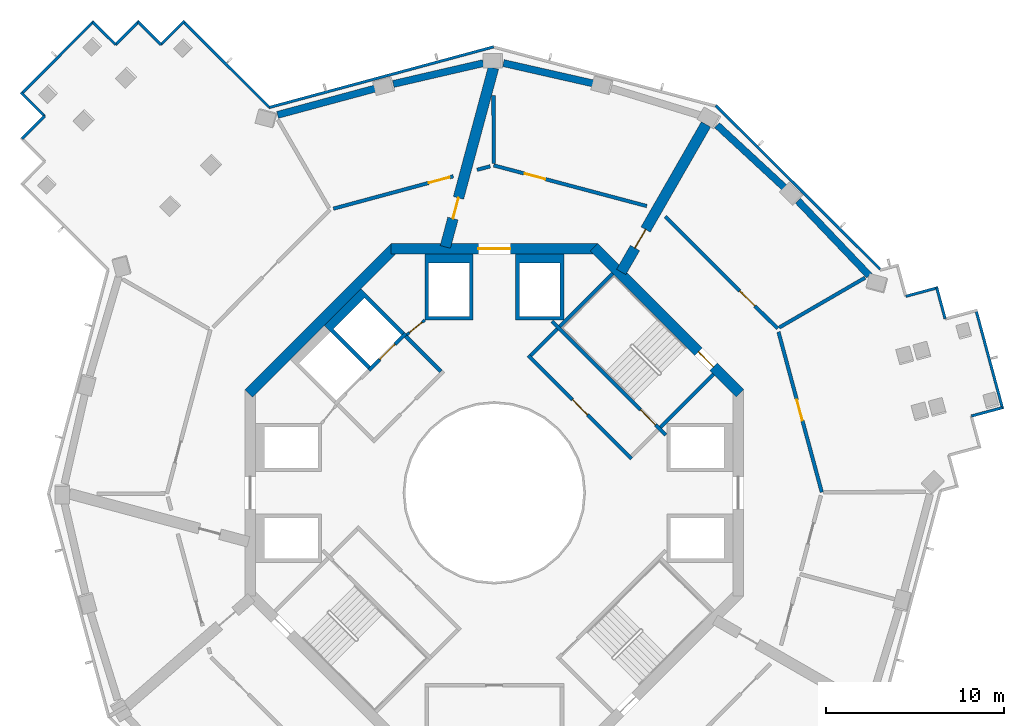
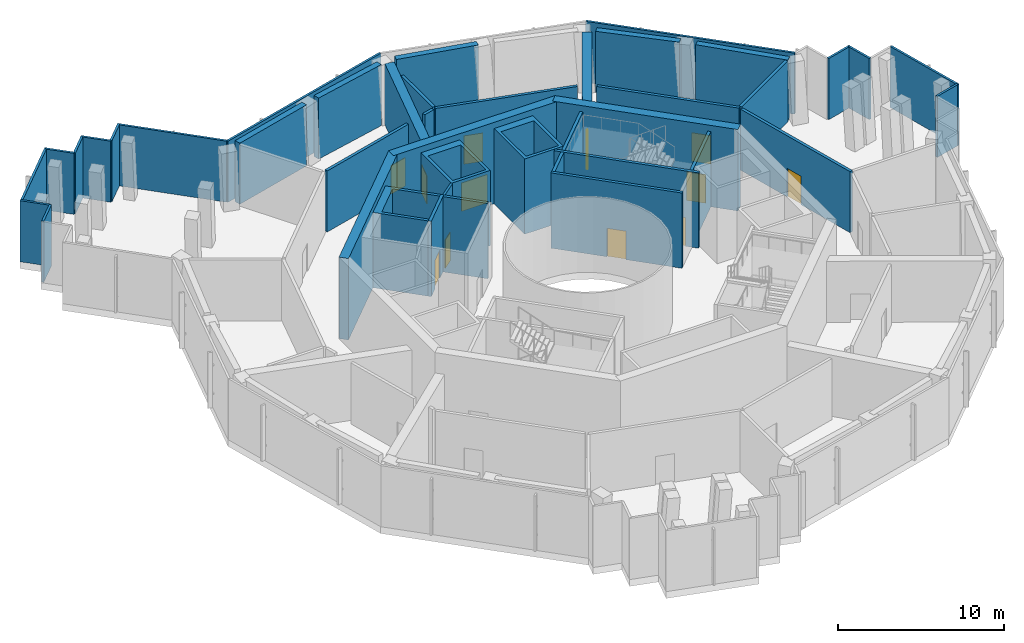
# One storey, part 4 of 16: 42 walls, 12 doors, 12 openings.
"""IFC4 building model written with IfcOpenShell, lengths in metres."""

from ifc_helpers import new_model, si_unit, direction, frame, frame_2d, origin, place, context, subcontext, project, spatial, polyline, rectangle, outline, extrude, material, layer, layer_set, type_object, element, fill, save


model = new_model("IFC4")

# Units and contexts
model_context = context("Model", 3, precision=1e-05, world=origin(), true_north=direction((0.0, 1.0)))
body_context = subcontext(model_context, "Body", "Model", "MODEL_VIEW")
ifc_project = project(units=[si_unit("LENGTHUNIT", "METRE"), si_unit("AREAUNIT", "SQUARE_METRE"), si_unit("VOLUMEUNIT", "CUBIC_METRE"), si_unit("PLANEANGLEUNIT", "RADIAN"), si_unit("MASSUNIT", "GRAM", prefix="KILO")], contexts=[model_context])

# Site, building, storey
site_placement = place(None, origin())
site = spatial("IfcSite", under=ifc_project, at=site_placement, CompositionType="ELEMENT")
building_placement = place(site_placement, origin())
building = spatial("IfcBuilding", under=site, at=building_placement, Name="Verdalira Terraces Hotel", CompositionType="ELEMENT")
storey_placement = place(building_placement, frame((0.0, 0.0, 216.0)))
storey = spatial("IfcBuildingStorey", under=building, at=storey_placement, Name="L53", CompositionType="ELEMENT", Elevation=216.0)

# Walls
ifc_material_1 = material(Name="Concrete C70", Category="concrete")
ifc_layer_1 = layer(ifc_material_1, 0.39990234375)
ifc_layer_set_1 = layer_set([ifc_layer_1], Name="Belt wall 400 C70")
wall_type_1 = type_object("IfcWallType", Name="Belt wall 400 C70", PredefinedType="SHEAR", material=ifc_layer_set_1)
wall_1_placement = place(storey_placement, frame((21.053467, 12.191895, 0.0), z_axis=(0.0, 0.0, 1.0), x_axis=(-0.690090697, 0.723722896, 0.0)))
element("IfcWall", 1, at=wall_1_placement, inside=storey, type_object=wall_type_1, Name="Belt wall BW-53-13", PredefinedType="SHEAR", context=body_context, shape_type="SweptSolid", body=[
    extrude(rectangle(XDim=5.807373, YDim=0.399902, at=frame_2d((2.903809, 0.0))), origin(), (0.0, 0.0, 1.0), 4.5),
])
wall_2_placement = place(storey_placement, frame((16.316406, 17.113281, 0.0), z_axis=(0.0, 0.0, 1.0), x_axis=(-0.733949959, 0.679203547, 0.0)))
element("IfcWall", 2, at=wall_2_placement, inside=storey, type_object=wall_type_1, Name="Belt wall BW-53-14", PredefinedType="SHEAR", context=body_context, shape_type="SweptSolid", body=[
    extrude(rectangle(XDim=5.190918, YDim=0.399902, at=frame_2d((2.595459, 0.0))), origin(), (0.0, 0.0, 1.0), 4.5),
])
for number, where, z_axis, x_axis, name in (
    (3, (5.57373, 22.97876, 0.0), (0.0, 0.0, 1.0), (-0.975216875, 0.221251094, 0.0), "Belt wall BW-53-16"),
    (4, (-0.612793, 24.124756, 0.0), (0.0, 0.0, 1.0), (-0.974279302, -0.225343832, 0.0), "Belt wall BW-53-17"),
):
    element("IfcWall", number, at=place(storey_placement, frame(where, z_axis=z_axis, x_axis=x_axis)), inside=storey, type_object=wall_type_1, Name=name, PredefinedType="SHEAR", context=body_context, shape_type="SweptSolid", body=[
        extrude(rectangle(XDim=5.190674, YDim=0.399902, at=frame_2d((2.595215, 0.0))), origin(), (0.0, 0.0, 1.0), 4.5),
    ])
wall_3_placement = place(storey_placement, frame((-6.653809, 22.708984, 0.0), z_axis=(0.0, 0.0, 1.0), x_axis=(-0.965373573, -0.260871356, 0.0)))
element("IfcWall", 5, at=wall_3_placement, inside=storey, type_object=wall_type_1, Name="Belt wall BW-53-18", PredefinedType="SHEAR", context=body_context, shape_type="SweptSolid", body=[
    extrude(rectangle(XDim=5.713379, YDim=0.399902, at=frame_2d((2.856689, 0.0))), origin(), (0.0, 0.0, 1.0), 4.5),
])
ifc_material_2 = material(Name="Concrete C50", Category="concrete")
ifc_layer_2 = layer(ifc_material_2, 0.199951171875)
ifc_layer_set_2 = layer_set([ifc_layer_2], Name="Core RC wall 200 C50")
wall_type_2 = type_object("IfcWallType", Name="Core RC wall 200 C50", PredefinedType="SOLIDWALL", material=ifc_layer_set_2)
wall_4_placement = place(storey_placement, origin())
element("IfcWall", 6, at=wall_4_placement, inside=storey, type_object=wall_type_2, Name="L53 shaft wall N1", PredefinedType="SOLIDWALL", context=body_context, shape_type="SweptSolid", body=[
    extrude(outline(polyline([(1.199951, 13.399902), (3.899902, 13.399902), (3.899902, 9.699951), (1.199951, 9.699951), (1.199951, 13.399902)]), holes=[polyline([(3.699951, 9.899902), (3.699951, 12.899902), (1.399902, 12.899902), (1.399902, 9.899902), (3.699951, 9.899902)])]), origin(), (0.0, 0.0, 1.0), 5.550049),
])
wall_5_placement = place(storey_placement, origin())
element("IfcWall", 7, at=wall_5_placement, inside=storey, type_object=wall_type_2, Name="L53 shaft wall N2", PredefinedType="SOLIDWALL", context=body_context, shape_type="SweptSolid", body=[
    extrude(outline(polyline([(-3.899902, 9.699951), (-3.899902, 13.399902), (-1.199951, 13.399902), (-1.199951, 9.699951), (-3.899902, 9.699951)]), holes=[polyline([(-1.399902, 12.899902), (-3.699951, 12.899902), (-3.699951, 9.899902), (-1.399902, 9.899902), (-1.399902, 12.899902)])]), origin(), (0.0, 0.0, 1.0), 5.550049),
])
wall_6_placement = place(storey_placement, origin())
element("IfcWall", 8, at=wall_6_placement, inside=storey, type_object=wall_type_2, Name="L53 shaft wall F1", PredefinedType="SOLIDWALL", context=body_context, shape_type="SweptSolid", body=[
    extrude(outline(polyline([(-9.545898, 9.404541), (-7.495361, 11.455078), (-5.055908, 9.015625), (-5.197266, 8.874268), (-7.283203, 10.960205), (-9.051025, 9.192383), (-6.965088, 7.106445), (-7.106445, 6.965088), (-9.545898, 9.404541)])), origin(), (0.0, 0.0, 1.0), 5.550049),
])

# Wall, opening, door
wall_7_placement = place(storey_placement, frame((-4.985107, 8.944824, 0.0), z_axis=(0.0, 0.0, 1.0), x_axis=(-0.707106781, -0.707106781, 0.0)))
wall_7 = element("IfcWall", 9, at=wall_7_placement, inside=storey, type_object=wall_type_2, Name="L53 shaft front wall F1", PredefinedType="SOLIDWALL", context=body_context, shape_type="SweptSolid", body=[
    extrude(rectangle(XDim=2.899902, YDim=0.199951, at=frame_2d((1.449951, 0.0))), origin(), (0.0, 0.0, 1.0), 5.550049),
])
opening_1_placement = place(wall_7_placement, frame((0.850098, 0.0, 0.0)))
opening_1 = element("IfcOpeningElement", 10, at=opening_1_placement, cuts=wall_7, Name="Opening LD-L53-802", PredefinedType="OPENING", context=body_context, shape_type="SweptSolid", body=[
    extrude(rectangle(XDim=1.199951, YDim=2.100098, at=frame_2d((0.600098, 1.050049))), frame((0.0, 0.109863, 0.0), z_axis=(0.0, -1.0, 0.0), x_axis=(1.0, 0.0, 0.0)), (0.0, 0.0, 1.0), 0.219971),
])
ifc_material_3 = material(Name="Stainless steel", Category="steel")
door_type_1 = type_object("IfcDoorType", Name="Landing door 1200 x 2100", OperationType="NOTDEFINED", PredefinedType="DOOR", material=ifc_material_3)
door_1_placement = place(opening_1_placement, origin())
door_1 = element("IfcDoor", 11, at=door_1_placement, inside=storey, type_object=door_type_1, Name="Lift landing door LF11 L53", OperationType="DOUBLE_DOOR_SLIDING", OverallHeight=2.10009765625, OverallWidth=1.199951171875, PredefinedType="DOOR", context=body_context, shape_type="SweptSolid", body=[
    extrude(rectangle(XDim=1.199951, YDim=2.100098, at=frame_2d((0.600098, 1.050049))), frame((0.0, 0.024902, 0.0), z_axis=(0.0, -1.0, 0.0), x_axis=(1.0, 0.0, 0.0)), (0.0, 0.0, 1.0), 0.050049),
])
fill(opening_1, door_1)

wall_8_placement = place(storey_placement, frame((3.23999, 9.629395, 0.0), z_axis=(0.0, 0.0, 1.0), x_axis=(0.707106781, -0.707106781, 0.0)))
wall_8 = element("IfcWall", 12, at=wall_8_placement, inside=storey, type_object=wall_type_2, Name="L53 stair ST1 front wall", PredefinedType="SOLIDWALL", context=body_context, shape_type="SweptSolid", body=[
    extrude(rectangle(XDim=9.035889, YDim=0.199951, at=frame_2d((4.518066, 0.0))), origin(), (0.0, 0.0, 1.0), 5.550049),
])
opening_2_placement = place(wall_8_placement, frame((7.017822, 0.0, 0.0)))
opening_2 = element("IfcOpeningElement", 13, at=opening_2_placement, cuts=wall_8, Name="Opening L53-804", PredefinedType="OPENING", context=body_context, shape_type="SweptSolid", body=[
    extrude(rectangle(XDim=1.199951, YDim=2.100098, at=frame_2d((0.600098, 1.050049))), frame((0.0, 0.109863, 0.0), z_axis=(0.0, -1.0, 0.0), x_axis=(1.0, 0.0, 0.0)), (0.0, 0.0, 1.0), 0.219971),
])
ifc_material_4 = material(Name="Steel fire door", Category="steel")
door_type_2 = type_object("IfcDoorType", Name="Stair door 1200 x 2100", OperationType="NOTDEFINED", PredefinedType="DOOR", material=ifc_material_4)
door_2_placement = place(opening_2_placement, origin())
door_2 = element("IfcDoor", 14, at=door_2_placement, inside=storey, type_object=door_type_2, Name="Stair door ST1 L53", OperationType="SINGLE_SWING_RIGHT", OverallHeight=2.10009765625, OverallWidth=1.199951171875, PredefinedType="DOOR", context=body_context, shape_type="SweptSolid", body=[
    extrude(rectangle(XDim=1.199951, YDim=2.100098, at=frame_2d((0.600098, 1.050049))), frame((0.0, 0.024902, 0.0), z_axis=(0.0, -1.0, 0.0), x_axis=(1.0, 0.0, 0.0)), (0.0, 0.0, 1.0), 0.050049),
])
fill(opening_2, door_2)

# Walls
for number, where, z_axis, x_axis, name in (
    (15, (9.33374, 3.677002, 0.0), (0.0, 0.0, 1.0), (0.707135845, 0.707077716, 0.0), "L53 stair ST1 end wall 1"),
    (16, (3.677002, 9.33374, 0.0), (0.0, 0.0, 1.0), (0.707077716, 0.707135845, 0.0), "L53 stair ST1 end wall 2"),
):
    element("IfcWall", number, at=place(storey_placement, frame(where, z_axis=z_axis, x_axis=x_axis)), inside=storey, type_object=wall_type_2, Name=name, PredefinedType="SOLIDWALL", context=body_context, shape_type="SweptSolid", body=[
        extrude(rectangle(XDim=4.199951, YDim=0.199951, at=frame_2d((2.100098, 0.0))), origin(), (0.0, 0.0, 1.0), 5.550049),
    ])
wall_9_placement = place(storey_placement, frame((-3.005127, 6.823486, 0.0), z_axis=(0.0, 0.0, 1.0), x_axis=(-0.707106781, 0.707106781, 0.0)))
element("IfcWall", 17, at=wall_9_placement, inside=storey, type_object=wall_type_2, Name="L53 fire lobby wall", PredefinedType="SOLIDWALL", context=body_context, shape_type="SweptSolid", body=[
    extrude(rectangle(XDim=2.800049, YDim=0.199951, at=frame_2d((1.399902, 0.0))), origin(), (0.0, 0.0, 1.0), 5.550049),
])

# Wall, opening, door
wall_10_placement = place(storey_placement, frame((7.70752, 1.90918, 0.0), z_axis=(0.0, 0.0, 1.0), x_axis=(-0.707106781, 0.707106781, 0.0)))
wall_10 = element("IfcWall", 18, at=wall_10_placement, inside=storey, type_object=wall_type_2, Name="Stair lobby wall ST1 L53", PredefinedType="SOLIDWALL", context=body_context, shape_type="SweptSolid", body=[
    extrude(rectangle(XDim=8.200195, YDim=0.199951, at=frame_2d((4.100098, 0.0))), origin(), (0.0, 0.0, 1.0), 5.550049),
])
opening_3_placement = place(wall_10_placement, frame((3.5, 0.0, 0.0)))
opening_3 = element("IfcOpeningElement", 19, at=opening_3_placement, cuts=wall_10, Name="Opening L53-816", PredefinedType="OPENING", context=body_context, shape_type="SweptSolid", body=[
    extrude(rectangle(XDim=1.199951, YDim=2.100098, at=frame_2d((0.600098, 1.050049))), frame((0.0, 0.109863, 0.0), z_axis=(0.0, -1.0, 0.0), x_axis=(1.0, 0.0, 0.0)), (0.0, 0.0, 1.0), 0.219971),
])
ifc_material_5 = material(Name="Steel fire door", Category="steel")
door_type_3 = type_object("IfcDoorType", Name="Lobby door 1200 x 2100", OperationType="NOTDEFINED", PredefinedType="DOOR", material=ifc_material_5)
door_3_placement = place(opening_3_placement, origin())
door_3 = element("IfcDoor", 20, at=door_3_placement, inside=storey, type_object=door_type_3, Name="Door L53 lobbyST1", OperationType="SINGLE_SWING_LEFT", OverallHeight=2.10009765625, OverallWidth=1.199951171875, PredefinedType="DOOR", context=body_context, shape_type="SweptSolid", body=[
    extrude(rectangle(XDim=1.199951, YDim=2.100098, at=frame_2d((0.600098, 1.050049))), frame((0.0, 0.024902, 0.0), z_axis=(0.0, -1.0, 0.0), x_axis=(1.0, 0.0, 0.0)), (0.0, 0.0, 1.0), 0.050049),
])
fill(opening_3, door_3)

# Wall
wall_11_placement = place(storey_placement, frame((2.050537, 7.70752, 0.0), z_axis=(0.0, 0.0, 1.0), x_axis=(0.707106781, 0.707106781, 0.0)))
element("IfcWall", 21, at=wall_11_placement, inside=storey, type_object=wall_type_2, Name="Stair lobby wall ST1 L53", PredefinedType="SOLIDWALL", context=body_context, shape_type="SweptSolid", body=[
    extrude(rectangle(XDim=2.099854, YDim=0.199951, at=frame_2d((1.049805, 0.0))), origin(), (0.0, 0.0, 1.0), 5.550049),
])

# Wall, opening, door
ifc_material_6 = material(Name="Gypsum board partition")
ifc_layer_3 = layer(ifc_material_6, 0.14990234375)
ifc_layer_set_3 = layer_set([ifc_layer_3], Name="Core partition 150 mm")
wall_type_3 = type_object("IfcWallType", Name="Core partition 150 mm", PredefinedType="PARTITIONING", material=ifc_layer_set_3)
wall_12_placement = place(storey_placement, frame((-3.899902, 9.699951, 0.0), z_axis=(0.0, 0.0, 1.0), x_axis=(-0.775559878, -0.631274009, 0.0)))
wall_12 = element("IfcWall", 22, at=wall_12_placement, inside=storey, type_object=wall_type_3, Name="Room partition L53", PredefinedType="PARTITIONING", context=body_context, shape_type="SweptSolid", body=[
    extrude(rectangle(XDim=1.307861, YDim=0.149902, at=frame_2d((0.653809, 0.0))), origin(), (0.0, 0.0, 1.0), 5.550049),
])
opening_4_placement = place(wall_12_placement, frame((0.204102, 0.0, 0.0)))
opening_4 = element("IfcOpeningElement", 23, at=opening_4_placement, cuts=wall_12, Name="Opening L53-814", PredefinedType="OPENING", context=body_context, shape_type="SweptSolid", body=[
    extrude(rectangle(XDim=0.899902, YDim=2.100098, at=frame_2d((0.449951, 1.050049))), frame((0.0, 0.084961, 0.0), z_axis=(0.0, -1.0, 0.0), x_axis=(1.0, 0.0, 0.0)), (0.0, 0.0, 1.0), 0.169922),
])
ifc_material_7 = material(Name="Steel fire door", Category="steel")
door_type_4 = type_object("IfcDoorType", Name="Core room door 900 x 2100", OperationType="NOTDEFINED", PredefinedType="DOOR", material=ifc_material_7)
door_4_placement = place(opening_4_placement, origin())
door_4 = element("IfcDoor", 24, at=door_4_placement, inside=storey, type_object=door_type_4, Name="Door L53 room2", OperationType="SINGLE_SWING_LEFT", OverallHeight=2.10009765625, OverallWidth=0.89990234375, PredefinedType="DOOR", context=body_context, shape_type="SweptSolid", body=[
    extrude(rectangle(XDim=0.899902, YDim=2.100098, at=frame_2d((0.449951, 1.050049))), frame((0.0, 0.024902, 0.0), z_axis=(0.0, -1.0, 0.0), x_axis=(1.0, 0.0, 0.0)), (0.0, 0.0, 1.0), 0.050049),
])
fill(opening_4, door_4)

ifc_material_8 = material(Name="Concrete C60", Category="concrete")
ifc_layer_4 = layer(ifc_material_8, 0.60009765625)
ifc_layer_set_4 = layer_set([ifc_layer_4], Name="Core wall 600 C60")
wall_type_4 = type_object("IfcWallType", Name="Core wall 600 C60", PredefinedType="SHEAR", material=ifc_layer_set_4)
wall_13_placement = place(storey_placement, frame((13.787842, 5.586914, 0.0), z_axis=(0.0, 0.0, 1.0), x_axis=(-0.707106781, 0.707106781, 0.0)))
wall_13 = element("IfcWall", 25, at=wall_13_placement, inside=storey, type_object=wall_type_4, Name="Core wall CW-L53-2", PredefinedType="SHEAR", context=body_context, shape_type="SweptSolid", body=[
    extrude(rectangle(XDim=11.5979, YDim=0.600098, at=frame_2d((5.798828, 0.0))), origin(), (0.0, 0.0, 1.0), 6.0),
])
opening_5_placement = place(wall_13_placement, frame((2.099121, 0.0, 0.0)))
opening_5 = element("IfcOpeningElement", 26, at=opening_5_placement, cuts=wall_13, Name="Opening L53-810", PredefinedType="OPENING", context=body_context, shape_type="SweptSolid", body=[
    extrude(rectangle(XDim=1.199951, YDim=2.100098, at=frame_2d((0.600098, 1.050049))), frame((0.0, 0.310059, 0.0), z_axis=(0.0, -1.0, 0.0), x_axis=(1.0, 0.0, 0.0)), (0.0, 0.0, 1.0), 0.620117),
])
door_5_placement = place(opening_5_placement, origin())
door_5 = element("IfcDoor", 27, at=door_5_placement, inside=storey, type_object=door_type_2, Name="Stair exit door ST1 L53", OperationType="SINGLE_SWING_LEFT", OverallHeight=2.10009765625, OverallWidth=1.199951171875, PredefinedType="DOOR", context=body_context, shape_type="SweptSolid", body=[
    extrude(rectangle(XDim=1.199951, YDim=2.100098, at=frame_2d((0.600098, 1.050049))), frame((0.0, 0.024902, 0.0), z_axis=(0.0, -1.0, 0.0), x_axis=(1.0, 0.0, 0.0)), (0.0, 0.0, 1.0), 0.050049),
])
fill(opening_5, door_5)

wall_14_placement = place(storey_placement, frame((5.799072, 13.699951, 0.0), z_axis=(0.0, 0.0, 1.0), x_axis=(-1.0, 0.0, 0.0)))
wall_14 = element("IfcWall", 28, at=wall_14_placement, inside=storey, type_object=wall_type_4, Name="Core wall CW-L53-3", PredefinedType="SHEAR", context=body_context, shape_type="SweptSolid", body=[
    extrude(rectangle(XDim=11.598145, YDim=0.600098, at=frame_2d((5.799072, 0.0))), origin(), (0.0, 0.0, 1.0), 6.0),
])
opening_6_placement = place(wall_14_placement, frame((4.898926, 0.0, 0.0)))
opening_6 = element("IfcOpeningElement", 29, at=opening_6_placement, cuts=wall_14, Name="Opening L53-808", PredefinedType="OPENING", context=body_context, shape_type="SweptSolid", body=[
    extrude(rectangle(XDim=1.800049, YDim=2.100098, at=frame_2d((0.899902, 1.050049))), frame((0.0, 0.310059, 0.0), z_axis=(0.0, -1.0, 0.0), x_axis=(1.0, 0.0, 0.0)), (0.0, 0.0, 1.0), 0.620117),
])
ifc_material_9 = material(Name="Steel fire door", Category="steel")
door_type_5 = type_object("IfcDoorType", Name="Core entry door pair 1800 x 2100", OperationType="NOTDEFINED", PredefinedType="DOOR", material=ifc_material_9)
door_6_placement = place(opening_6_placement, origin())
door_6 = element("IfcDoor", 30, at=door_6_placement, inside=storey, type_object=door_type_5, Name="Core entry door L53 2", OperationType="DOUBLE_DOOR_SINGLE_SWING", OverallHeight=2.10009765625, OverallWidth=1.800048828125, PredefinedType="DOOR", context=body_context, shape_type="SweptSolid", body=[
    extrude(rectangle(XDim=1.800049, YDim=2.100098, at=frame_2d((0.899902, 1.050049))), frame((0.0, 0.024902, 0.0), z_axis=(0.0, -1.0, 0.0), x_axis=(1.0, 0.0, 0.0)), (0.0, 0.0, 1.0), 0.050049),
])
fill(opening_6, door_6)

# Wall
wall_15_placement = place(storey_placement, frame((-5.586914, 13.787842, 0.0), z_axis=(0.0, 0.0, 1.0), x_axis=(-0.707106781, -0.707106781, 0.0)))
element("IfcWall", 31, at=wall_15_placement, inside=storey, type_object=wall_type_4, Name="Core wall CW-L53-4", PredefinedType="SHEAR", context=body_context, shape_type="SweptSolid", body=[
    extrude(rectangle(XDim=11.5979, YDim=0.600098, at=frame_2d((5.798828, 0.0))), origin(), (0.0, 0.0, 1.0), 6.0),
])

# Wall, opening, door
ifc_material_10 = material(Name="Concrete C70", Category="concrete")
ifc_layer_5 = layer(ifc_material_10, 0.60009765625)
ifc_layer_set_5 = layer_set([ifc_layer_5], Name="Outrigger wall 600 C70")
wall_type_5 = type_object("IfcWallType", Name="Outrigger wall 600 C70", PredefinedType="SHEAR", material=ifc_layer_set_5)
wall_16_placement = place(storey_placement, frame((7.125, 12.400879, 0.0), z_axis=(0.0, 0.0, 1.0), x_axis=(0.498182515, 0.867072189, 0.0)))
wall_16 = element("IfcWall", 32, at=wall_16_placement, inside=storey, type_object=wall_type_5, Name="Outrigger wall OW-53-5", PredefinedType="SHEAR", context=body_context, shape_type="SweptSolid", body=[
    extrude(rectangle(XDim=9.552734, YDim=0.600098, at=frame_2d((4.776367, 0.0))), origin(), (0.0, 0.0, 1.0), 4.5),
])
opening_7_placement = place(wall_16_placement, frame((1.550049, 0.0, 0.0)))
opening_7 = element("IfcOpeningElement", 33, at=opening_7_placement, cuts=wall_16, Name="Opening L53-105", PredefinedType="OPENING", context=body_context, shape_type="SweptSolid", body=[
    extrude(rectangle(XDim=1.199951, YDim=2.100098, at=frame_2d((0.600098, 1.050049))), frame((0.0, 0.310059, 0.0), z_axis=(0.0, -1.0, 0.0), x_axis=(1.0, 0.0, 0.0)), (0.0, 0.0, 1.0), 0.620117),
])
ifc_material_11 = material(Name="Steel fire door", Category="steel")
door_type_6 = type_object("IfcDoorType", Name="Plant room door 1200 x 2100", OperationType="NOTDEFINED", PredefinedType="DOOR", material=ifc_material_11)
door_7_placement = place(opening_7_placement, origin())
door_7 = element("IfcDoor", 34, at=door_7_placement, inside=storey, type_object=door_type_6, Name="Plant room door", OperationType="SINGLE_SWING_LEFT", OverallHeight=2.10009765625, OverallWidth=1.199951171875, PredefinedType="DOOR", context=body_context, shape_type="SweptSolid", body=[
    extrude(rectangle(XDim=1.199951, YDim=2.100098, at=frame_2d((0.600098, 1.050049))), frame((0.0, 0.024902, 0.0), z_axis=(0.0, -1.0, 0.0), x_axis=(1.0, 0.0, 0.0)), (0.0, 0.0, 1.0), 0.050049),
])
fill(opening_7, door_7)

wall_17_placement = place(storey_placement, frame((-2.751953, 13.806885, 0.0), z_axis=(0.0, 0.0, 1.0), x_axis=(0.259678944, 0.965695007, 0.0)))
wall_17 = element("IfcWall", 35, at=wall_17_placement, inside=storey, type_object=wall_type_5, Name="Outrigger wall OW-53-6", PredefinedType="SHEAR", context=body_context, shape_type="SweptSolid", body=[
    extrude(rectangle(XDim=10.404785, YDim=0.600098, at=frame_2d((5.202393, 0.0))), origin(), (0.0, 0.0, 1.0), 4.5),
])
opening_8_placement = place(wall_17_placement, frame((1.649902, 0.0, 0.0)))
opening_8 = element("IfcOpeningElement", 36, at=opening_8_placement, cuts=wall_17, Name="Opening L53-106", PredefinedType="OPENING", context=body_context, shape_type="SweptSolid", body=[
    extrude(rectangle(XDim=1.199951, YDim=2.100098, at=frame_2d((0.600098, 1.050049))), frame((0.0, 0.310059, 0.0), z_axis=(0.0, -1.0, 0.0), x_axis=(1.0, 0.0, 0.0)), (0.0, 0.0, 1.0), 0.620117),
])
door_8_placement = place(opening_8_placement, origin())
door_8 = element("IfcDoor", 37, at=door_8_placement, inside=storey, type_object=door_type_6, Name="Plant room door", OperationType="SINGLE_SWING_LEFT", OverallHeight=2.10009765625, OverallWidth=1.199951171875, PredefinedType="DOOR", context=body_context, shape_type="SweptSolid", body=[
    extrude(rectangle(XDim=1.199951, YDim=2.100098, at=frame_2d((0.600098, 1.050049))), frame((0.0, 0.024902, 0.0), z_axis=(0.0, -1.0, 0.0), x_axis=(1.0, 0.0, 0.0)), (0.0, 0.0, 1.0), 0.050049),
])
fill(opening_8, door_8)

ifc_material_12 = material(Name="Fire-rated concrete block wall", Category="concrete")
ifc_layer_6 = layer(ifc_material_12, 0.199951171875)
ifc_layer_set_6 = layer_set([ifc_layer_6], Name="Plant room wall 200 mm")
wall_type_6 = type_object("IfcWallType", Name="Plant room wall 200 mm", PredefinedType="SOLIDWALL", material=ifc_layer_set_6)
wall_18_placement = place(storey_placement, frame((-9.032715, 15.95459, 0.0), z_axis=(0.0, 0.0, 1.0), x_axis=(0.965386046, 0.260825196, 0.0)))
wall_18 = element("IfcWall", 38, at=wall_18_placement, inside=storey, type_object=wall_type_6, Name="Plant room wall", PredefinedType="SOLIDWALL", context=body_context, shape_type="SweptSolid", body=[
    extrude(rectangle(XDim=6.96875, YDim=0.199951, at=frame_2d((3.484375, 0.0))), origin(), (0.0, 0.0, 1.0), 4.5),
])
opening_9_placement = place(wall_18_placement, frame((5.550049, 0.0, 0.0)))
opening_9 = element("IfcOpeningElement", 39, at=opening_9_placement, cuts=wall_18, Name="Opening L53-119", PredefinedType="OPENING", context=body_context, shape_type="SweptSolid", body=[
    extrude(rectangle(XDim=1.199951, YDim=2.100098, at=frame_2d((0.600098, 1.050049))), frame((0.0, 0.109863, 0.0), z_axis=(0.0, -1.0, 0.0), x_axis=(1.0, 0.0, 0.0)), (0.0, 0.0, 1.0), 0.219971),
])
door_9_placement = place(opening_9_placement, origin())
door_9 = element("IfcDoor", 40, at=door_9_placement, inside=storey, type_object=door_type_6, Name="Plant room door 5313", OperationType="SINGLE_SWING_LEFT", OverallHeight=2.10009765625, OverallWidth=1.199951171875, PredefinedType="DOOR", context=body_context, shape_type="SweptSolid", body=[
    extrude(rectangle(XDim=1.199951, YDim=2.100098, at=frame_2d((0.600098, 1.050049))), frame((0.0, 0.024902, 0.0), z_axis=(0.0, -1.0, 0.0), x_axis=(1.0, 0.0, 0.0)), (0.0, 0.0, 1.0), 0.050049),
])
fill(opening_9, door_9)

# Walls
wall_19_placement = place(storey_placement, frame((-0.231689, 18.33252, 0.0), z_axis=(0.0, 0.0, 1.0), x_axis=(-0.965402539, -0.260764142, 0.0)))
element("IfcWall", 41, at=wall_19_placement, inside=storey, type_object=wall_type_6, Name="Plant room wall", PredefinedType="SOLIDWALL", context=body_context, shape_type="SweptSolid", body=[
    extrude(rectangle(XDim=0.763916, YDim=0.199951, at=frame_2d((0.381836, 0.0))), origin(), (0.0, 0.0, 1.0), 4.5),
])
wall_20_placement = place(storey_placement, frame((-0.038818, 18.488281, 0.0), z_axis=(0.0, 0.0, 1.0), x_axis=(-0.002042114, 0.999997915, 0.0)))
element("IfcWall", 42, at=wall_20_placement, inside=storey, type_object=wall_type_6, Name="Plant room wall", PredefinedType="SOLIDWALL", context=body_context, shape_type="SweptSolid", body=[
    extrude(rectangle(XDim=3.825684, YDim=0.199951, at=frame_2d((1.912842, 0.0))), origin(), (0.0, 0.0, 1.0), 4.5),
])

# Wall, opening, door
wall_21_placement = place(storey_placement, frame((-0.038574, 18.384766, 0.0), z_axis=(0.0, 0.0, 1.0), x_axis=(0.966462779, -0.256806731, 0.0)))
wall_21 = element("IfcWall", 43, at=wall_21_placement, inside=storey, type_object=wall_type_6, Name="Plant room wall", PredefinedType="SOLIDWALL", context=body_context, shape_type="SweptSolid", body=[
    extrude(rectangle(XDim=8.895508, YDim=0.199951, at=frame_2d((4.447754, 0.0))), origin(), (0.0, 0.0, 1.0), 4.5),
])
opening_10_placement = place(wall_21_placement, frame((1.800049, 0.0, 0.0)))
opening_10 = element("IfcOpeningElement", 44, at=opening_10_placement, cuts=wall_21, Name="Opening L53-118", PredefinedType="OPENING", context=body_context, shape_type="SweptSolid", body=[
    extrude(rectangle(XDim=1.199951, YDim=2.100098, at=frame_2d((0.600098, 1.050049))), frame((0.0, 0.109863, 0.0), z_axis=(0.0, -1.0, 0.0), x_axis=(1.0, 0.0, 0.0)), (0.0, 0.0, 1.0), 0.219971),
])
door_10_placement = place(opening_10_placement, origin())
door_10 = element("IfcDoor", 45, at=door_10_placement, inside=storey, type_object=door_type_6, Name="Plant room door 5312", OperationType="SINGLE_SWING_LEFT", OverallHeight=2.10009765625, OverallWidth=1.199951171875, PredefinedType="DOOR", context=body_context, shape_type="SweptSolid", body=[
    extrude(rectangle(XDim=1.199951, YDim=2.100098, at=frame_2d((0.600098, 1.050049))), frame((0.0, 0.024902, 0.0), z_axis=(0.0, -1.0, 0.0), x_axis=(1.0, 0.0, 0.0)), (0.0, 0.0, 1.0), 0.050049),
])
fill(opening_10, door_10)

wall_22_placement = place(storey_placement, frame((9.599121, 15.502686, 0.0), z_axis=(0.0, 0.0, 1.0), x_axis=(0.708573561, -0.705636952, 0.0)))
wall_22 = element("IfcWall", 46, at=wall_22_placement, inside=storey, type_object=wall_type_6, Name="Plant room wall", PredefinedType="SOLIDWALL", context=body_context, shape_type="SweptSolid", body=[
    extrude(rectangle(XDim=8.895752, YDim=0.199951, at=frame_2d((4.447754, 0.0))), origin(), (0.0, 0.0, 1.0), 4.5),
])
opening_11_placement = place(wall_22_placement, frame((5.899902, 0.0, 0.0)))
opening_11 = element("IfcOpeningElement", 47, at=opening_11_placement, cuts=wall_22, Name="Opening L53-117", PredefinedType="OPENING", context=body_context, shape_type="SweptSolid", body=[
    extrude(rectangle(XDim=1.199951, YDim=2.100098, at=frame_2d((0.600098, 1.050049))), frame((0.0, 0.109863, 0.0), z_axis=(0.0, -1.0, 0.0), x_axis=(1.0, 0.0, 0.0)), (0.0, 0.0, 1.0), 0.219971),
])
door_11_placement = place(opening_11_placement, origin())
door_11 = element("IfcDoor", 48, at=door_11_placement, inside=storey, type_object=door_type_6, Name="Plant room door 5311", OperationType="SINGLE_SWING_LEFT", OverallHeight=2.10009765625, OverallWidth=1.199951171875, PredefinedType="DOOR", context=body_context, shape_type="SweptSolid", body=[
    extrude(rectangle(XDim=1.199951, YDim=2.100098, at=frame_2d((0.600098, 1.050049))), frame((0.0, 0.024902, 0.0), z_axis=(0.0, -1.0, 0.0), x_axis=(1.0, 0.0, 0.0)), (0.0, 0.0, 1.0), 0.050049),
])
fill(opening_11, door_11)

wall_23_placement = place(storey_placement, frame((15.95459, 9.032715, 0.0), z_axis=(0.0, 0.0, 1.0), x_axis=(0.260841702, -0.965381586, 0.0)))
wall_23 = element("IfcWall", 49, at=wall_23_placement, inside=storey, type_object=wall_type_6, Name="Plant room wall", PredefinedType="SOLIDWALL", context=body_context, shape_type="SweptSolid", body=[
    extrude(rectangle(XDim=9.31665, YDim=0.199951, at=frame_2d((4.658203, 0.0))), origin(), (0.0, 0.0, 1.0), 4.5),
])
opening_12_placement = place(wall_23_placement, frame((3.949951, 0.0, 0.0)))
opening_12 = element("IfcOpeningElement", 50, at=opening_12_placement, cuts=wall_23, Name="Opening L53-116", PredefinedType="OPENING", context=body_context, shape_type="SweptSolid", body=[
    extrude(rectangle(XDim=1.199951, YDim=2.100098, at=frame_2d((0.600098, 1.050049))), frame((0.0, 0.109863, 0.0), z_axis=(0.0, -1.0, 0.0), x_axis=(1.0, 0.0, 0.0)), (0.0, 0.0, 1.0), 0.219971),
])
door_12_placement = place(opening_12_placement, origin())
door_12 = element("IfcDoor", 51, at=door_12_placement, inside=storey, type_object=door_type_6, Name="Plant room door 5310", OperationType="SINGLE_SWING_LEFT", OverallHeight=2.10009765625, OverallWidth=1.199951171875, PredefinedType="DOOR", context=body_context, shape_type="SweptSolid", body=[
    extrude(rectangle(XDim=1.199951, YDim=2.100098, at=frame_2d((0.600098, 1.050049))), frame((0.0, 0.024902, 0.0), z_axis=(0.0, -1.0, 0.0), x_axis=(1.0, 0.0, 0.0)), (0.0, 0.0, 1.0), 0.050049),
])
fill(opening_12, door_12)

# Walls
wall_24_placement = place(storey_placement, frame((15.991943, 9.277588, 0.0), z_axis=(0.0, 0.0, 1.0), x_axis=(0.864961248, 0.501838659, 0.0)))
element("IfcWall", 52, at=wall_24_placement, inside=storey, type_object=wall_type_6, Name="Plant room wall", PredefinedType="SOLIDWALL", context=body_context, shape_type="SweptSolid", body=[
    extrude(rectangle(XDim=5.575684, YDim=0.199951, at=frame_2d((2.787842, 0.0))), origin(), (0.0, 0.0, 1.0), 4.5),
])
ifc_material_13 = material(Name="Terracotta cladding", Category="masonry")
ifc_layer_7 = layer(ifc_material_13, 0.14990234375)
ifc_layer_set_7 = layer_set([ifc_layer_7], Name="Terracotta clad wall 150")
wall_type_7 = type_object("IfcWallType", Name="Terracotta clad wall 150", PredefinedType="SOLIDWALL", material=ifc_layer_set_7)
wall_25_placement = place(storey_placement, frame((-12.647217, 21.661865, 0.0), z_axis=(0.0, 0.0, 1.0), x_axis=(-0.708601127, 0.705609271, 0.0)))
element("IfcWall", 53, at=wall_25_placement, inside=storey, type_object=wall_type_7, Name="Terracotta cladding wall", PredefinedType="SOLIDWALL", context=body_context, shape_type="SweptSolid", body=[
    extrude(rectangle(XDim=6.772949, YDim=0.149902, at=frame_2d((3.386475, 0.0))), origin(), (0.0, 0.0, 1.0), 4.5),
])
wall_26_placement = place(storey_placement, frame((-17.393555, 26.493896, 0.0), z_axis=(0.0, 0.0, 1.0), x_axis=(-0.705672889, -0.708537772, 0.0)))
element("IfcWall", 54, at=wall_26_placement, inside=storey, type_object=wall_type_7, Name="Terracotta cladding wall", PredefinedType="SOLIDWALL", context=body_context, shape_type="SweptSolid", body=[
    extrude(rectangle(XDim=1.874756, YDim=0.149902, at=frame_2d((0.9375, 0.0))), origin(), (0.0, 0.0, 1.0), 4.5),
])
wall_27_placement = place(storey_placement, frame((-18.716553, 25.165527, 0.0), z_axis=(0.0, 0.0, 1.0), x_axis=(-0.708597276, 0.705613138, 0.0)))
element("IfcWall", 55, at=wall_27_placement, inside=storey, type_object=wall_type_7, Name="Terracotta cladding wall", PredefinedType="SOLIDWALL", context=body_context, shape_type="SweptSolid", body=[
    extrude(rectangle(XDim=1.799805, YDim=0.149902, at=frame_2d((0.899902, 0.0))), origin(), (0.0, 0.0, 1.0), 4.5),
])
wall_28_placement = place(storey_placement, frame((-19.939209, 26.48877, 0.0), z_axis=(0.0, 0.0, 1.0), x_axis=(-0.705607781, -0.70860261, 0.0)))
element("IfcWall", 56, at=wall_28_placement, inside=storey, type_object=wall_type_7, Name="Terracotta cladding wall", PredefinedType="SOLIDWALL", context=body_context, shape_type="SweptSolid", body=[
    extrude(rectangle(XDim=1.875, YDim=0.149902, at=frame_2d((0.9375, 0.0))), origin(), (0.0, 0.0, 1.0), 4.5),
])
wall_29_placement = place(storey_placement, frame((-21.262207, 25.160156, 0.0), z_axis=(0.0, 0.0, 1.0), x_axis=(-0.708597276, 0.705613138, 0.0)))
element("IfcWall", 57, at=wall_29_placement, inside=storey, type_object=wall_type_7, Name="Terracotta cladding wall", PredefinedType="SOLIDWALL", context=body_context, shape_type="SweptSolid", body=[
    extrude(rectangle(XDim=1.799805, YDim=0.149902, at=frame_2d((0.899902, 0.0))), origin(), (0.0, 0.0, 1.0), 4.5),
])
wall_30_placement = place(storey_placement, frame((-22.484619, 26.483398, 0.0), z_axis=(0.0, 0.0, 1.0), x_axis=(-0.705634025, -0.708576476, 0.0)))
element("IfcWall", 58, at=wall_30_placement, inside=storey, type_object=wall_type_7, Name="Terracotta cladding wall", PredefinedType="SOLIDWALL", context=body_context, shape_type="SweptSolid", body=[
    extrude(rectangle(XDim=5.725098, YDim=0.149902, at=frame_2d((2.862549, 0.0))), origin(), (0.0, 0.0, 1.0), 4.5),
])
wall_31_placement = place(storey_placement, frame((-26.577637, 22.479492, 0.0), z_axis=(0.0, 0.0, 1.0), x_axis=(0.70860261, -0.705607781, 0.0)))
element("IfcWall", 59, at=wall_31_placement, inside=storey, type_object=wall_type_7, Name="Terracotta cladding wall", PredefinedType="SOLIDWALL", context=body_context, shape_type="SweptSolid", body=[
    extrude(rectangle(XDim=1.875, YDim=0.149902, at=frame_2d((0.9375, 0.0))), origin(), (0.0, 0.0, 1.0), 4.5),
])
for number, where, z_axis, x_axis, name in (
    (60, (-25.249023, 21.156494, 0.0), (0.0, 0.0, 1.0), (-0.705613138, -0.708597276, 0.0), "Terracotta cladding wall"),
    (61, (26.786133, 4.311279, 0.0), (0.0, 0.0, 1.0), (0.965380935, 0.260844111, 0.0), "Terracotta cladding wall"),
):
    element("IfcWall", number, at=place(storey_placement, frame(where, z_axis=z_axis, x_axis=x_axis)), inside=storey, type_object=wall_type_7, Name=name, PredefinedType="SOLIDWALL", context=body_context, shape_type="SweptSolid", body=[
        extrude(rectangle(XDim=1.799805, YDim=0.149902, at=frame_2d((0.899902, 0.0))), origin(), (0.0, 0.0, 1.0), 4.5),
    ])
wall_32_placement = place(storey_placement, frame((28.543457, 4.708252, 0.0), z_axis=(0.0, 0.0, 1.0), x_axis=(-0.260854246, 0.965378196, 0.0)))
element("IfcWall", 62, at=wall_32_placement, inside=storey, type_object=wall_type_7, Name="Terracotta cladding wall", PredefinedType="SOLIDWALL", context=body_context, shape_type="SweptSolid", body=[
    extrude(rectangle(XDim=5.725098, YDim=0.149902, at=frame_2d((2.862549, 0.0))), origin(), (0.0, 0.0, 1.0), 4.5),
])
wall_33_placement = place(storey_placement, frame((25.312256, 9.765625, 0.0), z_axis=(0.0, 0.0, 1.0), x_axis=(-0.260844111, 0.965380935, 0.0)))
element("IfcWall", 63, at=wall_33_placement, inside=storey, type_object=wall_type_7, Name="Terracotta cladding wall", PredefinedType="SOLIDWALL", context=body_context, shape_type="SweptSolid", body=[
    extrude(rectangle(XDim=1.799805, YDim=0.149902, at=frame_2d((0.899902, 0.0))), origin(), (0.0, 0.0, 1.0), 4.5),
])
wall_34_placement = place(storey_placement, frame((24.915283, 11.522705, 0.0), z_axis=(0.0, 0.0, 1.0), x_axis=(-0.965389094, -0.260813914, 0.0)))
element("IfcWall", 64, at=wall_34_placement, inside=storey, type_object=wall_type_7, Name="Terracotta cladding wall", PredefinedType="SOLIDWALL", context=body_context, shape_type="SweptSolid", body=[
    extrude(rectangle(XDim=1.875, YDim=0.149902, at=frame_2d((0.9375, 0.0))), origin(), (0.0, 0.0, 1.0), 4.5),
])
wall_35_placement = place(storey_placement, frame((21.678467, 12.54126, 0.0), z_axis=(0.0, 0.0, 1.0), x_axis=(-0.708592913, 0.705617519, 0.0)))
element("IfcWall", 65, at=wall_35_placement, inside=storey, type_object=wall_type_7, Name="Terracotta cladding wall", PredefinedType="SOLIDWALL", context=body_context, shape_type="SweptSolid", body=[
    extrude(rectangle(XDim=13.046387, YDim=0.149902, at=frame_2d((6.523193, 0.0))), origin(), (0.0, 0.0, 1.0), 4.5),
])
wall_36_placement = place(storey_placement, frame((-0.032959, 25.041504, 0.0), z_axis=(0.0, 0.0, 1.0), x_axis=(-0.965384617, -0.260830485, 0.0)))
element("IfcWall", 66, at=wall_36_placement, inside=storey, type_object=wall_type_7, Name="Terracotta cladding wall", PredefinedType="SOLIDWALL", context=body_context, shape_type="SweptSolid", body=[
    extrude(rectangle(XDim=13.075195, YDim=0.149902, at=frame_2d((6.537598, 0.0))), origin(), (0.0, 0.0, 1.0), 4.5),
])

save(model, "model.ifc")
